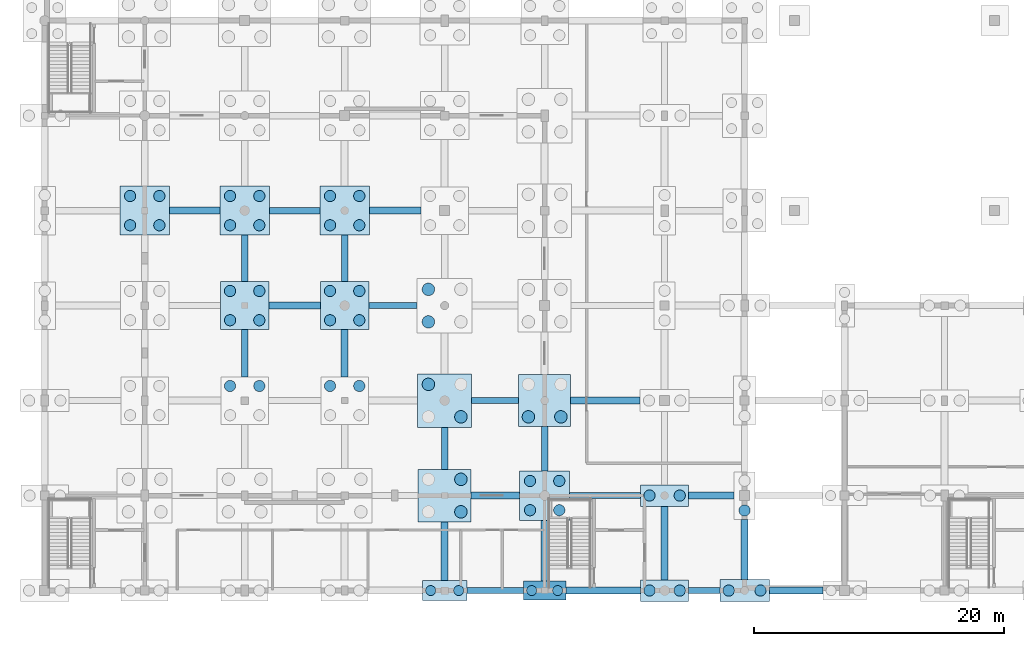
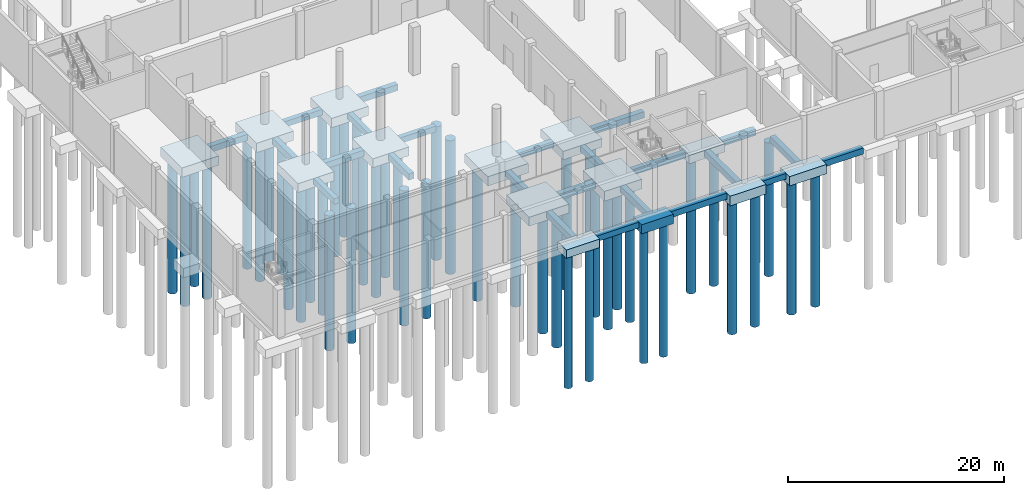
# One storey, part 2 of 44: 47 piles, 38 footings.
"""IFC4 building model written with IfcOpenShell, lengths in metres."""

from ifc_helpers import new_model, si_unit, direction, frame, origin, origin_2d, place, context, subcontext, project, spatial, polyline, circle, outline, extrude, material, material_profile, profile_set, type_object, element, save


model = new_model("IFC4")

# Units and contexts
model_context = context("Model", 3, precision=1e-05, world=origin(), true_north=direction((0.0, 1.0)))
body_context = subcontext(model_context, "Body", "Model", "MODEL_VIEW")
ifc_project = project(units=[si_unit("LENGTHUNIT", "METRE"), si_unit("AREAUNIT", "SQUARE_METRE"), si_unit("VOLUMEUNIT", "CUBIC_METRE"), si_unit("PLANEANGLEUNIT", "RADIAN"), si_unit("MASSUNIT", "GRAM", prefix="KILO")], contexts=[model_context])

# Site, building, storey
site_placement = place(None, origin())
site = spatial("IfcSite", under=ifc_project, at=site_placement, CompositionType="ELEMENT")
building_placement = place(site_placement, origin())
building = spatial("IfcBuilding", under=site, at=building_placement, Name="Khelvaren Railside Concert Hall", CompositionType="ELEMENT")
storey_placement = place(building_placement, frame((0.0, 0.0, -5.39990234375)))
storey = spatial("IfcBuildingStorey", under=building, at=storey_placement, Name="B1", CompositionType="ELEMENT", Elevation=-5.39990234375)

# Piles
ifc_material = material(Name="Concrete C35/45", Category="concrete")
ifc_material_profile_1 = material_profile(ifc_material, circle(Radius=0.449951171875, at=origin_2d()), Name="BP D900")
ifc_profile_set_1 = profile_set([ifc_material_profile_1], Name="Concrete C35/45")
pile_type_1 = type_object("IfcPileType", Name="BP51", PredefinedType="BORED", material=ifc_profile_set_1)
for number, where, z_axis, x_axis, name in (
    (1, (6.830078125, 29.22998046875, -1.4501953125), (0.0, 0.0, -1.0), (1.0, 0.0, 0.0), "Bored Pile BP51 PC-V1-018-1"),
    (2, (9.169921875, 29.22998046875, -1.4501953125), (0.0, 0.0, -1.0), (1.0, 0.0, 0.0), "Bored Pile BP51 PC-V1-018-2"),
    (3, (6.830078125, 31.570068359375, -1.4501953125), (0.0, 0.0, -1.0), (1.0, 0.0, 0.0), "Bored Pile BP51 PC-V1-018-3"),
    (4, (9.169921875, 31.570068359375, -1.4501953125), (0.0, 0.0, -1.0), (1.0, 0.0, 0.0), "Bored Pile BP51 PC-V1-018-4"),
):
    element("IfcPile", number, at=place(storey_placement, frame(where, z_axis=z_axis, x_axis=x_axis)), inside=storey, type_object=pile_type_1, Name=name, PredefinedType="BORED", context=body_context, shape_type="SweptSolid", body=[
        extrude(circle(Radius=0.449951171875, at=origin_2d()), origin(), (0.0, 0.0, 1.0), 15.14990234375),
    ])
for number, where, z_axis, x_axis, name in (
    (5, (14.830078125, 16.3701171875, -1.35009765625), (0.0, 0.0, -1.0), (1.0, 0.0, 0.0), "Bored Pile BP51 PC-V1-032-3"),
    (6, (17.169921875, 16.3701171875, -1.35009765625), (0.0, 0.0, -1.0), (1.0, 0.0, 0.0), "Bored Pile BP51 PC-V1-032-4"),
):
    element("IfcPile", number, at=place(storey_placement, frame(where, z_axis=z_axis, x_axis=x_axis)), inside=storey, type_object=pile_type_1, Name=name, PredefinedType="BORED", context=body_context, shape_type="SweptSolid", body=[
        extrude(circle(Radius=0.449951171875, at=origin_2d()), origin(), (0.0, 0.0, 1.0), 15.25),
    ])
for number, where, z_axis, x_axis, name in (
    (7, (14.830078125, 21.6298828125, -1.400146484375), (0.0, 0.0, -1.0), (1.0, 0.0, 0.0), "Bored Pile BP51 PC-V1-033-1"),
    (8, (17.169921875, 21.6298828125, -1.400146484375), (0.0, 0.0, -1.0), (1.0, 0.0, 0.0), "Bored Pile BP51 PC-V1-033-2"),
    (9, (14.830078125, 23.969970703125, -1.400146484375), (0.0, 0.0, -1.0), (1.0, 0.0, 0.0), "Bored Pile BP51 PC-V1-033-3"),
    (10, (17.169921875, 23.969970703125, -1.400146484375), (0.0, 0.0, -1.0), (1.0, 0.0, 0.0), "Bored Pile BP51 PC-V1-033-4"),
):
    element("IfcPile", number, at=place(storey_placement, frame(where, z_axis=z_axis, x_axis=x_axis)), inside=storey, type_object=pile_type_1, Name=name, PredefinedType="BORED", context=body_context, shape_type="SweptSolid", body=[
        extrude(circle(Radius=0.449951171875, at=origin_2d()), origin(), (0.0, 0.0, 1.0), 15.199951171875),
    ])
for number, where, z_axis, x_axis, name in (
    (11, (14.830078125, 29.22998046875, -1.4501953125), (0.0, 0.0, -1.0), (1.0, 0.0, 0.0), "Bored Pile BP51 PC-V1-034-1"),
    (12, (17.169921875, 29.22998046875, -1.4501953125), (0.0, 0.0, -1.0), (1.0, 0.0, 0.0), "Bored Pile BP51 PC-V1-034-2"),
    (13, (14.830078125, 31.570068359375, -1.4501953125), (0.0, 0.0, -1.0), (1.0, 0.0, 0.0), "Bored Pile BP51 PC-V1-034-3"),
    (14, (17.169921875, 31.570068359375, -1.4501953125), (0.0, 0.0, -1.0), (1.0, 0.0, 0.0), "Bored Pile BP51 PC-V1-034-4"),
):
    element("IfcPile", number, at=place(storey_placement, frame(where, z_axis=z_axis, x_axis=x_axis)), inside=storey, type_object=pile_type_1, Name=name, PredefinedType="BORED", context=body_context, shape_type="SweptSolid", body=[
        extrude(circle(Radius=0.449951171875, at=origin_2d()), origin(), (0.0, 0.0, 1.0), 15.14990234375),
    ])
for number, where, z_axis, x_axis, name in (
    (15, (22.830078125, 16.3701171875, -1.35009765625), (0.0, 0.0, -1.0), (1.0, 0.0, 0.0), "Bored Pile BP51 PC-V1-048-3"),
    (16, (25.169921875, 16.3701171875, -1.35009765625), (0.0, 0.0, -1.0), (1.0, 0.0, 0.0), "Bored Pile BP51 PC-V1-048-4"),
):
    element("IfcPile", number, at=place(storey_placement, frame(where, z_axis=z_axis, x_axis=x_axis)), inside=storey, type_object=pile_type_1, Name=name, PredefinedType="BORED", context=body_context, shape_type="SweptSolid", body=[
        extrude(circle(Radius=0.449951171875, at=origin_2d()), origin(), (0.0, 0.0, 1.0), 15.25),
    ])
for number, where, z_axis, x_axis, name in (
    (17, (22.830078125, 21.6298828125, -1.400146484375), (0.0, 0.0, -1.0), (1.0, 0.0, 0.0), "Bored Pile BP51 PC-V1-049-1"),
    (18, (25.169921875, 21.6298828125, -1.400146484375), (0.0, 0.0, -1.0), (1.0, 0.0, 0.0), "Bored Pile BP51 PC-V1-049-2"),
    (19, (22.830078125, 23.969970703125, -1.400146484375), (0.0, 0.0, -1.0), (1.0, 0.0, 0.0), "Bored Pile BP51 PC-V1-049-3"),
    (20, (25.169921875, 23.969970703125, -1.400146484375), (0.0, 0.0, -1.0), (1.0, 0.0, 0.0), "Bored Pile BP51 PC-V1-049-4"),
):
    element("IfcPile", number, at=place(storey_placement, frame(where, z_axis=z_axis, x_axis=x_axis)), inside=storey, type_object=pile_type_1, Name=name, PredefinedType="BORED", context=body_context, shape_type="SweptSolid", body=[
        extrude(circle(Radius=0.449951171875, at=origin_2d()), origin(), (0.0, 0.0, 1.0), 15.199951171875),
    ])
for number, where, z_axis, x_axis, name in (
    (21, (22.830078125, 29.22998046875, -1.4501953125), (0.0, 0.0, -1.0), (1.0, 0.0, 0.0), "Bored Pile BP51 PC-V1-050-1"),
    (22, (25.169921875, 29.22998046875, -1.4501953125), (0.0, 0.0, -1.0), (1.0, 0.0, 0.0), "Bored Pile BP51 PC-V1-050-2"),
    (23, (22.830078125, 31.570068359375, -1.4501953125), (0.0, 0.0, -1.0), (1.0, 0.0, 0.0), "Bored Pile BP51 PC-V1-050-3"),
    (24, (25.169921875, 31.570068359375, -1.4501953125), (0.0, 0.0, -1.0), (1.0, 0.0, 0.0), "Bored Pile BP51 PC-V1-050-4"),
):
    element("IfcPile", number, at=place(storey_placement, frame(where, z_axis=z_axis, x_axis=x_axis)), inside=storey, type_object=pile_type_1, Name=name, PredefinedType="BORED", context=body_context, shape_type="SweptSolid", body=[
        extrude(circle(Radius=0.449951171875, at=origin_2d()), origin(), (0.0, 0.0, 1.0), 15.14990234375),
    ])
for number, where, z_axis, x_axis, name in (
    (25, (38.830078125, 6.429931640625, -1.5), (0.0, 0.0, -1.0), (1.0, 0.0, 0.0), "Bored Pile BP51 PC-V1-075-1"),
    (26, (41.169921875, 6.429931640625, -1.5), (0.0, 0.0, -1.0), (1.0, 0.0, 0.0), "Bored Pile BP51 PC-V1-075-2"),
    (27, (38.830078125, 8.77001953125, -1.5), (0.0, 0.0, -1.0), (1.0, 0.0, 0.0), "Bored Pile BP51 PC-V1-075-3"),
    (28, (41.169921875, 8.77001953125, -1.5), (0.0, 0.0, -1.0), (1.0, 0.0, 0.0), "Bored Pile BP51 PC-V1-075-4"),
    (29, (48.389892578125, 0.0, -1.5), (0.0, 0.0, -1.0), (1.0, 0.0, 0.0), "Bored Pile BP51 PC-V1-095-1"),
    (30, (50.81005859375, 0.0, -1.5), (0.0, 0.0, -1.0), (1.0, 0.0, 0.0), "Bored Pile BP51 PC-V1-095-2"),
):
    element("IfcPile", number, at=place(storey_placement, frame(where, z_axis=z_axis, x_axis=x_axis)), inside=storey, type_object=pile_type_1, Name=name, PredefinedType="BORED", context=body_context, shape_type="SweptSolid", body=[
        extrude(circle(Radius=0.449951171875, at=origin_2d()), origin(), (0.0, 0.0, 1.0), 15.10009765625),
    ])
for number, where, z_axis, x_axis, name in (
    (31, (48.389892578125, 7.60009765625, -1.35009765625), (0.0, 0.0, -1.0), (1.0, 0.0, 0.0), "Bored Pile BP51 PC-V1-096-1"),
    (32, (50.81005859375, 7.60009765625, -1.35009765625), (0.0, 0.0, -1.0), (1.0, 0.0, 0.0), "Bored Pile BP51 PC-V1-096-2"),
):
    element("IfcPile", number, at=place(storey_placement, frame(where, z_axis=z_axis, x_axis=x_axis)), inside=storey, type_object=pile_type_1, Name=name, PredefinedType="BORED", context=body_context, shape_type="SweptSolid", body=[
        extrude(circle(Radius=0.449951171875, at=origin_2d()), origin(), (0.0, 0.0, 1.0), 15.25),
    ])
for number, where, z_axis, x_axis, name in (
    (33, (54.72998046875, 0.0, -1.4501953125), (0.0, 0.0, -1.0), (1.0, 0.0, 0.0), "Bored Pile BP51 PC-V1-102-1"),
    (34, (57.27001953125, 0.0, -1.4501953125), (0.0, 0.0, -1.0), (1.0, 0.0, 0.0), "Bored Pile BP51 PC-V1-102-2"),
):
    element("IfcPile", number, at=place(storey_placement, frame(where, z_axis=z_axis, x_axis=x_axis)), inside=storey, type_object=pile_type_1, Name=name, PredefinedType="BORED", context=body_context, shape_type="SweptSolid", body=[
        extrude(circle(Radius=0.449951171875, at=origin_2d()), origin(), (0.0, 0.0, 1.0), 15.14990234375),
    ])
pile_placement = place(storey_placement, frame((56.0, 6.409912109375, -1.5), z_axis=(0.0, 0.0, -1.0), x_axis=(1.0, 0.0, 0.0)))
element("IfcPile", 35, at=pile_placement, inside=storey, type_object=pile_type_1, Name="Bored Pile BP51 PC-V1-103-1", PredefinedType="BORED", context=body_context, shape_type="SweptSolid", body=[
    extrude(circle(Radius=0.449951171875, at=origin_2d()), origin(), (0.0, 0.0, 1.0), 15.10009765625),
])
ifc_material_profile_2 = material_profile(ifc_material, circle(Radius=0.39990234375, at=origin_2d()), Name="BP D800")
ifc_profile_set_2 = profile_set([ifc_material_profile_2], Name="Concrete C35/45")
pile_type_2 = type_object("IfcPileType", Name="BP84", PredefinedType="BORED", material=ifc_profile_set_2)
for number, where, z_axis, x_axis, name in (
    (36, (30.8798828125, 0.0, -1.35009765625), (0.0, 0.0, -1.0), (1.0, 0.0, 0.0), "Bored Pile BP84 PC-V1-060-1"),
    (37, (33.1201171875, 0.0, -1.35009765625), (0.0, 0.0, -1.0), (1.0, 0.0, 0.0), "Bored Pile BP84 PC-V1-060-2"),
):
    element("IfcPile", number, at=place(storey_placement, frame(where, z_axis=z_axis, x_axis=x_axis)), inside=storey, type_object=pile_type_2, Name=name, PredefinedType="BORED", context=body_context, shape_type="SweptSolid", body=[
        extrude(circle(Radius=0.39990234375, at=origin_2d()), origin(), (0.0, 0.0, 1.0), 15.25),
    ])
for number, where, z_axis, x_axis, name in (
    (38, (38.9599609375, 0.0, -1.4501953125), (0.0, 0.0, -1.0), (1.0, 0.0, 0.0), "Bored Pile BP84 PC-V1-074-1"),
    (39, (41.0400390625, 0.0, -1.4501953125), (0.0, 0.0, -1.0), (1.0, 0.0, 0.0), "Bored Pile BP84 PC-V1-074-2"),
):
    element("IfcPile", number, at=place(storey_placement, frame(where, z_axis=z_axis, x_axis=x_axis)), inside=storey, type_object=pile_type_2, Name=name, PredefinedType="BORED", context=body_context, shape_type="SweptSolid", body=[
        extrude(circle(Radius=0.39990234375, at=origin_2d()), origin(), (0.0, 0.0, 1.0), 15.14990234375),
    ])
ifc_material_profile_3 = material_profile(ifc_material, circle(Radius=0.5, at=origin_2d()), Name="BP D1000")
ifc_profile_set_3 = profile_set([ifc_material_profile_3], Name="Concrete C35/45")
pile_type_3 = type_object("IfcPileType", Name="BP88", PredefinedType="BORED", material=ifc_profile_set_3)
for number, where, z_axis, x_axis, name in (
    (40, (33.300048828125, 6.300048828125, -1.400146484375), (0.0, 0.0, -1.0), (1.0, 0.0, 0.0), "Bored Pile BP88 PC-V1-061-2"),
    (41, (33.300048828125, 8.89990234375, -1.400146484375), (0.0, 0.0, -1.0), (1.0, 0.0, 0.0), "Bored Pile BP88 PC-V1-061-4"),
):
    element("IfcPile", number, at=place(storey_placement, frame(where, z_axis=z_axis, x_axis=x_axis)), inside=storey, type_object=pile_type_3, Name=name, PredefinedType="BORED", context=body_context, shape_type="SweptSolid", body=[
        extrude(circle(Radius=0.5, at=origin_2d()), origin(), (0.0, 0.0, 1.0), 15.199951171875),
    ])
for number, where, z_axis, x_axis, name in (
    (42, (33.300048828125, 13.89990234375, -1.4501953125), (0.0, 0.0, -1.0), (1.0, 0.0, 0.0), "Bored Pile BP88 PC-V1-062-2"),
    (43, (30.699951171875, 16.5, -1.4501953125), (0.0, 0.0, -1.0), (1.0, 0.0, 0.0), "Bored Pile BP88 PC-V1-062-3"),
):
    element("IfcPile", number, at=place(storey_placement, frame(where, z_axis=z_axis, x_axis=x_axis)), inside=storey, type_object=pile_type_3, Name=name, PredefinedType="BORED", context=body_context, shape_type="SweptSolid", body=[
        extrude(circle(Radius=0.5, at=origin_2d()), origin(), (0.0, 0.0, 1.0), 15.14990234375),
    ])
for number, where, z_axis, x_axis, name in (
    (44, (30.699951171875, 21.5, -1.5), (0.0, 0.0, -1.0), (1.0, 0.0, 0.0), "Bored Pile BP88 PC-V1-063-1"),
    (45, (30.699951171875, 24.10009765625, -1.5), (0.0, 0.0, -1.0), (1.0, 0.0, 0.0), "Bored Pile BP88 PC-V1-063-3"),
):
    element("IfcPile", number, at=place(storey_placement, frame(where, z_axis=z_axis, x_axis=x_axis)), inside=storey, type_object=pile_type_3, Name=name, PredefinedType="BORED", context=body_context, shape_type="SweptSolid", body=[
        extrude(circle(Radius=0.5, at=origin_2d()), origin(), (0.0, 0.0, 1.0), 15.10009765625),
    ])
for number, where, z_axis, x_axis, name in (
    (46, (38.699951171875, 13.89990234375, -1.35009765625), (0.0, 0.0, -1.0), (1.0, 0.0, 0.0), "Bored Pile BP88 PC-V1-076-1"),
    (47, (41.300048828125, 13.89990234375, -1.35009765625), (0.0, 0.0, -1.0), (1.0, 0.0, 0.0), "Bored Pile BP88 PC-V1-076-2"),
):
    element("IfcPile", number, at=place(storey_placement, frame(where, z_axis=z_axis, x_axis=x_axis)), inside=storey, type_object=pile_type_3, Name=name, PredefinedType="BORED", context=body_context, shape_type="SweptSolid", body=[
        extrude(circle(Radius=0.5, at=origin_2d()), origin(), (0.0, 0.0, 1.0), 15.25),
    ])

# Footings
footing_type_1 = type_object("IfcFootingType", Name="GB49", PredefinedType="FOOTING_BEAM", material=ifc_material)
footing_1_placement = place(storey_placement, frame((0.0, 0.0, -1.150146484375)))
element("IfcFooting", 48, at=footing_1_placement, inside=storey, type_object=footing_type_1, Name="Ground Tie Beam GB49 5", PredefinedType="FOOTING_BEAM", context=body_context, shape_type="SweptSolid", body=[
    extrude(outline(polyline([(33.780029296875, -0.25), (38.300048828125, -0.25), (38.300048828125, 0.25), (33.780029296875, 0.25), (33.780029296875, -0.25)])), origin(), (0.0, 0.0, 1.0), 0.650146484375),
])
footing_2_placement = place(storey_placement, frame((0.0, 0.0, -1.150146484375)))
element("IfcFooting", 49, at=footing_2_placement, inside=storey, type_object=footing_type_1, Name="Ground Tie Beam GB49 7", PredefinedType="FOOTING_BEAM", context=body_context, shape_type="SweptSolid", body=[
    extrude(outline(polyline([(51.52001953125, -0.25), (54.02001953125, -0.25), (54.02001953125, 0.25), (51.52001953125, 0.25), (51.52001953125, -0.25)])), origin(), (0.0, 0.0, 1.0), 0.650146484375),
])
footing_3_placement = place(storey_placement, frame((0.0, 0.0, -1.150146484375)))
element("IfcFooting", 50, at=footing_3_placement, inside=storey, type_object=footing_type_1, Name="Ground Tie Beam GB49 29", PredefinedType="FOOTING_BEAM", context=body_context, shape_type="SweptSolid", body=[
    extrude(outline(polyline([(42.0, 7.35009765625), (47.679931640625, 7.35009765625), (47.679931640625, 7.85009765625), (42.0, 7.85009765625), (42.0, 7.35009765625)])), origin(), (0.0, 0.0, 1.0), 0.650146484375),
])
footing_4_placement = place(storey_placement, frame((0.0, 0.0, -1.150146484375)))
element("IfcFooting", 51, at=footing_4_placement, inside=storey, type_object=footing_type_1, Name="Ground Tie Beam GB49 51", PredefinedType="FOOTING_BEAM", context=body_context, shape_type="SweptSolid", body=[
    extrude(outline(polyline([(34.159912109375, 14.949951171875), (37.919921875, 14.949951171875), (37.919921875, 15.449951171875), (34.159912109375, 15.449951171875), (34.159912109375, 14.949951171875)])), origin(), (0.0, 0.0, 1.0), 0.650146484375),
])
footing_5_placement = place(storey_placement, frame((0.0, 0.0, -1.150146484375)))
element("IfcFooting", 52, at=footing_5_placement, inside=storey, type_object=footing_type_1, Name="Ground Tie Beam GB49 73", PredefinedType="FOOTING_BEAM", context=body_context, shape_type="SweptSolid", body=[
    extrude(outline(polyline([(25.93994140625, 22.550048828125), (29.800048828125, 22.550048828125), (29.800048828125, 23.050048828125), (25.93994140625, 23.050048828125), (25.93994140625, 22.550048828125)])), origin(), (0.0, 0.0, 1.0), 0.650146484375),
])
footing_6_placement = place(storey_placement, frame((0.0, 0.0, -1.150146484375)))
element("IfcFooting", 53, at=footing_6_placement, inside=storey, type_object=footing_type_1, Name="Ground Tie Beam GB49 95", PredefinedType="FOOTING_BEAM", context=body_context, shape_type="SweptSolid", body=[
    extrude(outline(polyline([(17.97998046875, 30.14990234375), (22.02001953125, 30.14990234375), (22.02001953125, 30.64990234375), (17.97998046875, 30.64990234375), (17.97998046875, 30.14990234375)])), origin(), (0.0, 0.0, 1.0), 0.650146484375),
])
footing_7_placement = place(storey_placement, frame((0.0, 0.0, -1.150146484375)))
element("IfcFooting", 54, at=footing_7_placement, inside=storey, type_object=footing_type_1, Name="Ground Tie Beam GB49 237", PredefinedType="FOOTING_BEAM", context=body_context, shape_type="SweptSolid", body=[
    extrude(outline(polyline([(15.75, 17.10009765625), (16.25, 17.10009765625), (16.25, 20.8798828125), (15.75, 20.8798828125), (15.75, 17.10009765625)])), origin(), (0.0, 0.0, 1.0), 0.650146484375),
])
footing_8_placement = place(storey_placement, frame((0.0, 0.0, -1.150146484375)))
element("IfcFooting", 55, at=footing_8_placement, inside=storey, type_object=footing_type_1, Name="Ground Tie Beam GB49 253", PredefinedType="FOOTING_BEAM", context=body_context, shape_type="SweptSolid", body=[
    extrude(outline(polyline([(23.75, 24.719970703125), (24.25, 24.719970703125), (24.25, 28.43994140625), (23.75, 28.43994140625), (23.75, 24.719970703125)])), origin(), (0.0, 0.0, 1.0), 0.650146484375),
])
footing_9_placement = place(storey_placement, frame((0.0, 0.0, -1.150146484375)))
element("IfcFooting", 56, at=footing_9_placement, inside=storey, type_object=footing_type_1, Name="Ground Tie Beam GB49 263", PredefinedType="FOOTING_BEAM", context=body_context, shape_type="SweptSolid", body=[
    extrude(outline(polyline([(31.75, 9.699951171875), (32.25, 9.699951171875), (32.25, 13.06005859375), (31.75, 13.06005859375), (31.75, 9.699951171875)])), origin(), (0.0, 0.0, 1.0), 0.650146484375),
])
footing_10_placement = place(storey_placement, frame((0.0, 0.0, -1.150146484375)))
element("IfcFooting", 57, at=footing_10_placement, inside=storey, type_object=footing_type_1, Name="Ground Tie Beam GB49 275", PredefinedType="FOOTING_BEAM", context=body_context, shape_type="SweptSolid", body=[
    extrude(outline(polyline([(39.75, 9.580078125), (40.25, 9.580078125), (40.25, 13.1201171875), (39.75, 13.1201171875), (39.75, 9.580078125)])), origin(), (0.0, 0.0, 1.0), 0.650146484375),
])
footing_type_2 = type_object("IfcFootingType", Name="GB57", PredefinedType="FOOTING_BEAM", material=ifc_material)
footing_11_placement = place(storey_placement, frame((0.0, 0.0, -1.2001953125)))
element("IfcFooting", 58, at=footing_11_placement, inside=storey, type_object=footing_type_2, Name="Ground Tie Beam GB57 6", PredefinedType="FOOTING_BEAM", context=body_context, shape_type="SweptSolid", body=[
    extrude(outline(polyline([(41.699951171875, -0.27490234375), (47.679931640625, -0.27490234375), (47.679931640625, 0.27490234375), (41.699951171875, 0.27490234375), (41.699951171875, -0.27490234375)])), origin(), (0.0, 0.0, 1.0), 0.7001953125),
])
footing_12_placement = place(storey_placement, frame((0.0, 0.0, -1.2001953125)))
element("IfcFooting", 59, at=footing_12_placement, inside=storey, type_object=footing_type_2, Name="Ground Tie Beam GB57 8", PredefinedType="FOOTING_BEAM", context=body_context, shape_type="SweptSolid", body=[
    extrude(outline(polyline([(57.97998046875, -0.27490234375), (62.260009765625, -0.27490234375), (62.260009765625, 0.27490234375), (57.97998046875, 0.27490234375), (57.97998046875, -0.27490234375)])), origin(), (0.0, 0.0, 1.0), 0.7001953125),
])
footing_13_placement = place(storey_placement, frame((0.0, 0.0, -1.2001953125)))
element("IfcFooting", 60, at=footing_13_placement, inside=storey, type_object=footing_type_2, Name="Ground Tie Beam GB57 28", PredefinedType="FOOTING_BEAM", context=body_context, shape_type="SweptSolid", body=[
    extrude(outline(polyline([(34.1201171875, 7.324951171875), (38.0, 7.324951171875), (38.0, 7.875), (34.1201171875, 7.875), (34.1201171875, 7.324951171875)])), origin(), (0.0, 0.0, 1.0), 0.7001953125),
])
footing_14_placement = place(storey_placement, frame((0.0, 0.0, -1.2001953125)))
element("IfcFooting", 61, at=footing_14_placement, inside=storey, type_object=footing_type_2, Name="Ground Tie Beam GB57 30", PredefinedType="FOOTING_BEAM", context=body_context, shape_type="SweptSolid", body=[
    extrude(outline(polyline([(51.52001953125, 7.324951171875), (55.14990234375, 7.324951171875), (55.14990234375, 7.875), (51.52001953125, 7.875), (51.52001953125, 7.324951171875)])), origin(), (0.0, 0.0, 1.0), 0.7001953125),
])
footing_15_placement = place(storey_placement, frame((0.0, 0.0, -1.2001953125)))
element("IfcFooting", 62, at=footing_15_placement, inside=storey, type_object=footing_type_2, Name="Ground Tie Beam GB57 52", PredefinedType="FOOTING_BEAM", context=body_context, shape_type="SweptSolid", body=[
    extrude(outline(polyline([(42.080078125, 14.925048828125), (47.639892578125, 14.925048828125), (47.639892578125, 15.47509765625), (42.080078125, 15.47509765625), (42.080078125, 14.925048828125)])), origin(), (0.0, 0.0, 1.0), 0.7001953125),
])
footing_16_placement = place(storey_placement, frame((0.0, 0.0, -1.2001953125)))
element("IfcFooting", 63, at=footing_16_placement, inside=storey, type_object=footing_type_2, Name="Ground Tie Beam GB57 72", PredefinedType="FOOTING_BEAM", context=body_context, shape_type="SweptSolid", body=[
    extrude(outline(polyline([(17.93994140625, 22.52490234375), (22.06005859375, 22.52490234375), (22.06005859375, 23.074951171875), (17.93994140625, 23.074951171875), (17.93994140625, 22.52490234375)])), origin(), (0.0, 0.0, 1.0), 0.7001953125),
])
footing_17_placement = place(storey_placement, frame((0.0, 0.0, -1.2001953125)))
element("IfcFooting", 64, at=footing_17_placement, inside=storey, type_object=footing_type_2, Name="Ground Tie Beam GB57 94", PredefinedType="FOOTING_BEAM", context=body_context, shape_type="SweptSolid", body=[
    extrude(outline(polyline([(9.97998046875, 30.125), (14.02001953125, 30.125), (14.02001953125, 30.675048828125), (9.97998046875, 30.675048828125), (9.97998046875, 30.125)])), origin(), (0.0, 0.0, 1.0), 0.7001953125),
])
footing_18_placement = place(storey_placement, frame((0.0, 0.0, -1.2001953125)))
element("IfcFooting", 65, at=footing_18_placement, inside=storey, type_object=footing_type_2, Name="Ground Tie Beam GB57 96", PredefinedType="FOOTING_BEAM", context=body_context, shape_type="SweptSolid", body=[
    extrude(outline(polyline([(25.97998046875, 30.125), (30.10009765625, 30.125), (30.10009765625, 30.675048828125), (25.97998046875, 30.675048828125), (25.97998046875, 30.125)])), origin(), (0.0, 0.0, 1.0), 0.7001953125),
])
footing_19_placement = place(storey_placement, frame((0.0, 0.0, -1.2001953125)))
element("IfcFooting", 66, at=footing_19_placement, inside=storey, type_object=footing_type_2, Name="Ground Tie Beam GB57 238", PredefinedType="FOOTING_BEAM", context=body_context, shape_type="SweptSolid", body=[
    extrude(outline(polyline([(15.72509765625, 24.719970703125), (16.27490234375, 24.719970703125), (16.27490234375, 28.43994140625), (15.72509765625, 28.43994140625), (15.72509765625, 24.719970703125)])), origin(), (0.0, 0.0, 1.0), 0.7001953125),
])
footing_20_placement = place(storey_placement, frame((0.0, 0.0, -1.2001953125)))
element("IfcFooting", 67, at=footing_20_placement, inside=storey, type_object=footing_type_2, Name="Ground Tie Beam GB57 252", PredefinedType="FOOTING_BEAM", context=body_context, shape_type="SweptSolid", body=[
    extrude(outline(polyline([(23.72509765625, 17.10009765625), (24.27490234375, 17.10009765625), (24.27490234375, 20.8798828125), (23.72509765625, 20.8798828125), (23.72509765625, 17.10009765625)])), origin(), (0.0, 0.0, 1.0), 0.7001953125),
])
footing_21_placement = place(storey_placement, frame((0.0, 0.0, -1.2001953125)))
element("IfcFooting", 68, at=footing_21_placement, inside=storey, type_object=footing_type_2, Name="Ground Tie Beam GB57 262", PredefinedType="FOOTING_BEAM", context=body_context, shape_type="SweptSolid", body=[
    extrude(outline(polyline([(31.72509765625, 0.800048828125), (32.27490234375, 0.800048828125), (32.27490234375, 5.5), (31.72509765625, 5.5), (31.72509765625, 0.800048828125)])), origin(), (0.0, 0.0, 1.0), 0.7001953125),
])
footing_22_placement = place(storey_placement, frame((0.0, 0.0, -1.2001953125)))
element("IfcFooting", 69, at=footing_22_placement, inside=storey, type_object=footing_type_2, Name="Ground Tie Beam GB57 274", PredefinedType="FOOTING_BEAM", context=body_context, shape_type="SweptSolid", body=[
    extrude(outline(polyline([(39.72509765625, 0.75), (40.27490234375, 0.75), (40.27490234375, 5.6201171875), (39.72509765625, 5.6201171875), (39.72509765625, 0.75)])), origin(), (0.0, 0.0, 1.0), 0.7001953125),
])
footing_23_placement = place(storey_placement, frame((0.0, 0.0, -1.2001953125)))
element("IfcFooting", 70, at=footing_23_placement, inside=storey, type_object=footing_type_2, Name="Ground Tie Beam GB57 292", PredefinedType="FOOTING_BEAM", context=body_context, shape_type="SweptSolid", body=[
    extrude(outline(polyline([(49.324951171875, 0.860107421875), (49.875, 0.860107421875), (49.875, 6.739990234375), (49.324951171875, 6.739990234375), (49.324951171875, 0.860107421875)])), origin(), (0.0, 0.0, 1.0), 0.7001953125),
])
footing_24_placement = place(storey_placement, frame((0.0, 0.0, -1.2001953125)))
element("IfcFooting", 71, at=footing_24_placement, inside=storey, type_object=footing_type_2, Name="Ground Tie Beam GB57 298", PredefinedType="FOOTING_BEAM", context=body_context, shape_type="SweptSolid", body=[
    extrude(outline(polyline([(55.72509765625, 0.875), (56.27490234375, 0.875), (56.27490234375, 5.699951171875), (55.72509765625, 5.699951171875), (55.72509765625, 0.875)])), origin(), (0.0, 0.0, 1.0), 0.7001953125),
])
footing_type_3 = type_object("IfcFootingType", Name="PC11", PredefinedType="PILE_CAP", material=ifc_material)
footing_25_placement = place(storey_placement, frame((0.0, 0.0, -1.5)))
element("IfcFooting", 72, at=footing_25_placement, inside=storey, type_object=footing_type_3, Name="Pile Cap PC11 (32.0,7.6)", PredefinedType="PILE_CAP", context=body_context, shape_type="SweptSolid", body=[
    extrude(outline(polyline([(29.8798828125, 5.5), (34.1201171875, 5.5), (34.1201171875, 9.699951171875), (29.8798828125, 9.699951171875), (29.8798828125, 5.5)])), origin(), (0.0, 0.0, 1.0), 1.0),
])
footing_type_4 = type_object("IfcFootingType", Name="PC13", PredefinedType="PILE_CAP", material=ifc_material)
footing_26_placement = place(storey_placement, frame((0.0, 0.0, -1.550048828125)))
element("IfcFooting", 73, at=footing_26_placement, inside=storey, type_object=footing_type_4, Name="Pile Cap PC13 (8.0,30.4)", PredefinedType="PILE_CAP", context=body_context, shape_type="SweptSolid", body=[
    extrude(outline(polyline([(6.02001953125, 28.43994140625), (9.97998046875, 28.43994140625), (9.97998046875, 32.360107421875), (6.02001953125, 32.360107421875), (6.02001953125, 28.43994140625)])), origin(), (0.0, 0.0, 1.0), 1.050048828125),
])
footing_27_placement = place(storey_placement, frame((0.0, 0.0, -1.550048828125)))
element("IfcFooting", 74, at=footing_27_placement, inside=storey, type_object=footing_type_4, Name="Pile Cap PC13 (16.0,30.4)", PredefinedType="PILE_CAP", context=body_context, shape_type="SweptSolid", body=[
    extrude(outline(polyline([(14.02001953125, 28.43994140625), (17.97998046875, 28.43994140625), (17.97998046875, 32.360107421875), (14.02001953125, 32.360107421875), (14.02001953125, 28.43994140625)])), origin(), (0.0, 0.0, 1.0), 1.050048828125),
])
footing_28_placement = place(storey_placement, frame((0.0, 0.0, -1.550048828125)))
element("IfcFooting", 75, at=footing_28_placement, inside=storey, type_object=footing_type_4, Name="Pile Cap PC13 (24.0,30.4)", PredefinedType="PILE_CAP", context=body_context, shape_type="SweptSolid", body=[
    extrude(outline(polyline([(22.02001953125, 28.43994140625), (25.97998046875, 28.43994140625), (25.97998046875, 32.360107421875), (22.02001953125, 32.360107421875), (22.02001953125, 28.43994140625)])), origin(), (0.0, 0.0, 1.0), 1.050048828125),
])
footing_type_5 = type_object("IfcFootingType", Name="PC25", PredefinedType="PILE_CAP", material=ifc_material)
footing_29_placement = place(storey_placement, frame((0.0, 0.0, -1.60009765625)))
element("IfcFooting", 76, at=footing_29_placement, inside=storey, type_object=footing_type_5, Name="Pile Cap PC25 (49.6,0.0)", PredefinedType="PILE_CAP", context=body_context, shape_type="SweptSolid", body=[
    extrude(outline(polyline([(47.679931640625, -0.860107421875), (51.52001953125, -0.860107421875), (51.52001953125, 0.860107421875), (47.679931640625, 0.860107421875), (47.679931640625, -0.860107421875)])), origin(), (0.0, 0.0, 1.0), 1.10009765625),
])
footing_type_6 = type_object("IfcFootingType", Name="PC46", PredefinedType="PILE_CAP", material=ifc_material)
footing_30_placement = place(storey_placement, frame((0.0, 0.0, -1.550048828125)))
element("IfcFooting", 77, at=footing_30_placement, inside=storey, type_object=footing_type_6, Name="Pile Cap PC46 (56.0,0.0)", PredefinedType="PILE_CAP", context=body_context, shape_type="SweptSolid", body=[
    extrude(outline(polyline([(54.02001953125, -0.875), (57.97998046875, -0.875), (57.97998046875, 0.875), (54.02001953125, 0.875), (54.02001953125, -0.875)])), origin(), (0.0, 0.0, 1.0), 1.050048828125),
])
footing_type_7 = type_object("IfcFootingType", Name="PC51", PredefinedType="PILE_CAP", material=ifc_material)
footing_31_placement = place(storey_placement, frame((0.0, 0.0, -1.60009765625)))
element("IfcFooting", 78, at=footing_31_placement, inside=storey, type_object=footing_type_7, Name="Pile Cap PC51 (40.0,7.6)", PredefinedType="PILE_CAP", context=body_context, shape_type="SweptSolid", body=[
    extrude(outline(polyline([(38.0, 5.6201171875), (42.0, 5.6201171875), (42.0, 9.580078125), (38.0, 9.580078125), (38.0, 5.6201171875)])), origin(), (0.0, 0.0, 1.0), 1.10009765625),
])
footing_type_8 = type_object("IfcFootingType", Name="PC52", PredefinedType="PILE_CAP", material=ifc_material)
footing_32_placement = place(storey_placement, frame((0.0, 0.0, -1.4501953125)))
element("IfcFooting", 79, at=footing_32_placement, inside=storey, type_object=footing_type_8, Name="Pile Cap PC52 (40.0,15.2)", PredefinedType="PILE_CAP", context=body_context, shape_type="SweptSolid", body=[
    extrude(outline(polyline([(37.919921875, 13.1201171875), (42.080078125, 13.1201171875), (42.080078125, 17.280029296875), (37.919921875, 17.280029296875), (37.919921875, 13.1201171875)])), origin(), (0.0, 0.0, 1.0), 0.9501953125),
])
footing_type_9 = type_object("IfcFootingType", Name="PC63", PredefinedType="PILE_CAP", material=ifc_material)
footing_33_placement = place(storey_placement, frame((0.0, 0.0, -1.5)))
element("IfcFooting", 80, at=footing_33_placement, inside=storey, type_object=footing_type_9, Name="Pile Cap PC63 (16.0,22.8)", PredefinedType="PILE_CAP", context=body_context, shape_type="SweptSolid", body=[
    extrude(outline(polyline([(14.06005859375, 20.8798828125), (17.93994140625, 20.8798828125), (17.93994140625, 24.719970703125), (14.06005859375, 24.719970703125), (14.06005859375, 20.8798828125)])), origin(), (0.0, 0.0, 1.0), 1.0),
])
footing_34_placement = place(storey_placement, frame((0.0, 0.0, -1.5)))
element("IfcFooting", 81, at=footing_34_placement, inside=storey, type_object=footing_type_9, Name="Pile Cap PC63 (24.0,22.8)", PredefinedType="PILE_CAP", context=body_context, shape_type="SweptSolid", body=[
    extrude(outline(polyline([(22.06005859375, 20.8798828125), (25.93994140625, 20.8798828125), (25.93994140625, 24.719970703125), (22.06005859375, 24.719970703125), (22.06005859375, 20.8798828125)])), origin(), (0.0, 0.0, 1.0), 1.0),
])
footing_type_10 = type_object("IfcFootingType", Name="PC65", PredefinedType="PILE_CAP", material=ifc_material)
footing_35_placement = place(storey_placement, frame((0.0, 0.0, -1.4501953125)))
element("IfcFooting", 82, at=footing_35_placement, inside=storey, type_object=footing_type_10, Name="Pile Cap PC65 (49.6,7.6)", PredefinedType="PILE_CAP", context=body_context, shape_type="SweptSolid", body=[
    extrude(outline(polyline([(47.679931640625, 6.739990234375), (51.52001953125, 6.739990234375), (51.52001953125, 8.4599609375), (47.679931640625, 8.4599609375), (47.679931640625, 6.739990234375)])), origin(), (0.0, 0.0, 1.0), 0.9501953125),
])
footing_type_11 = type_object("IfcFootingType", Name="PC70", PredefinedType="PILE_CAP", material=ifc_material)
footing_36_placement = place(storey_placement, frame((0.0, 0.0, -1.550048828125)))
element("IfcFooting", 83, at=footing_36_placement, inside=storey, type_object=footing_type_11, Name="Pile Cap PC70 (32.0,15.2)", PredefinedType="PILE_CAP", context=body_context, shape_type="SweptSolid", body=[
    extrude(outline(polyline([(29.840087890625, 13.06005859375), (34.159912109375, 13.06005859375), (34.159912109375, 17.340087890625), (29.840087890625, 17.340087890625), (29.840087890625, 13.06005859375)])), origin(), (0.0, 0.0, 1.0), 1.050048828125),
])
footing_type_12 = type_object("IfcFootingType", Name="PC71", PredefinedType="PILE_CAP", material=ifc_material)
footing_37_placement = place(storey_placement, frame((0.0, 0.0, -1.4501953125)))
element("IfcFooting", 84, at=footing_37_placement, inside=storey, type_object=footing_type_12, Name="Pile Cap PC71 (32.0,0.0)", PredefinedType="PILE_CAP", context=body_context, shape_type="SweptSolid", body=[
    extrude(outline(polyline([(30.219970703125, -0.800048828125), (33.780029296875, -0.800048828125), (33.780029296875, 0.800048828125), (30.219970703125, 0.800048828125), (30.219970703125, -0.800048828125)])), origin(), (0.0, 0.0, 1.0), 0.9501953125),
])
footing_type_13 = type_object("IfcFootingType", Name="PC92", PredefinedType="PILE_CAP", material=ifc_material)
footing_38_placement = place(storey_placement, frame((0.0, 0.0, -1.550048828125)))
element("IfcFooting", 85, at=footing_38_placement, inside=storey, type_object=footing_type_13, Name="Pile Cap PC92 (40.0,0.0)", PredefinedType="PILE_CAP", context=body_context, shape_type="SweptSolid", body=[
    extrude(outline(polyline([(38.300048828125, -0.75), (41.699951171875, -0.75), (41.699951171875, 0.75), (38.300048828125, 0.75), (38.300048828125, -0.75)])), origin(), (0.0, 0.0, 1.0), 1.050048828125),
])

save(model, "model.ifc")
